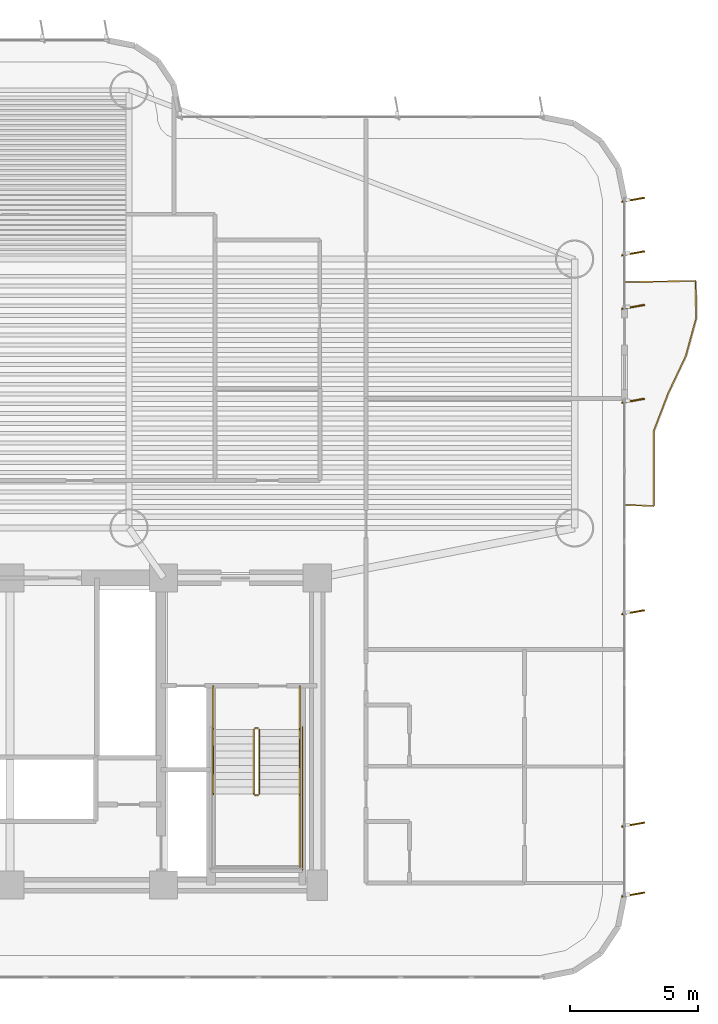
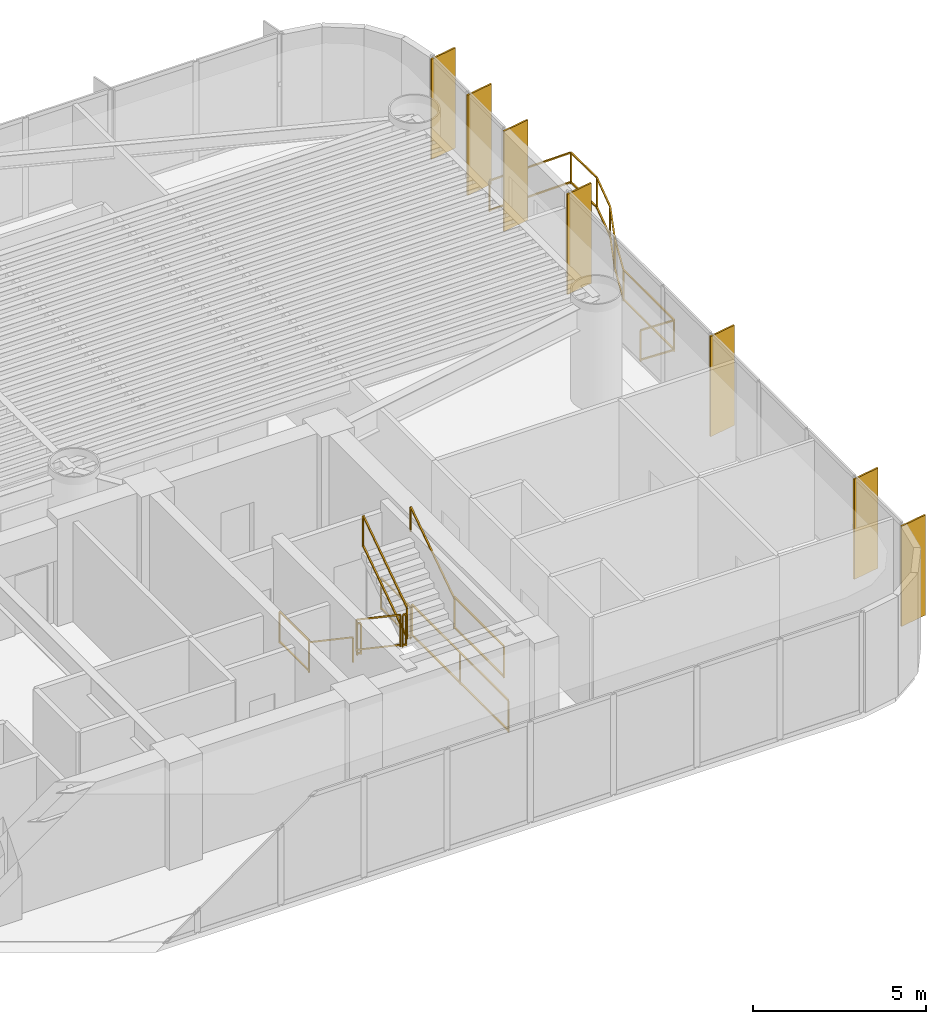
# One storey, part 16 of 17: 11 railings, 7 shading devices.
"""IFC4 building model written with IfcOpenShell, lengths in metres."""

from ifc_helpers import new_model, si_unit, direction, frame, origin, origin_2d, place, context, subcontext, project, spatial, rectangle, extrude, source, transform, mapped, material, layer, layer_set, material_profile, profile_set, type_object, element, save


model = new_model("IFC4")

# Units and contexts
model_context = context("Model", 3, precision=1e-05, world=origin(), true_north=direction((0.0, 1.0)))
body_context = subcontext(model_context, "Body", "Model", "MODEL_VIEW")
ifc_project = project(units=[si_unit("LENGTHUNIT", "METRE"), si_unit("AREAUNIT", "SQUARE_METRE"), si_unit("VOLUMEUNIT", "CUBIC_METRE"), si_unit("PLANEANGLEUNIT", "RADIAN"), si_unit("MASSUNIT", "GRAM", prefix="KILO")], contexts=[model_context])

# Site, building, storey
site_placement = place(None, origin())
site = spatial("IfcSite", under=ifc_project, at=site_placement, CompositionType="ELEMENT")
building_placement = place(site_placement, origin())
building = spatial("IfcBuilding", under=site, at=building_placement, Name="Brelvock Crest Care Tower", CompositionType="ELEMENT")
storey_placement = place(building_placement, frame((0.0, 0.0, 45.89990234375)))
storey = spatial("IfcBuildingStorey", under=building, at=storey_placement, Name="L11", CompositionType="ELEMENT", Elevation=45.89990234375)

# Railings
ifc_material_1 = material(Name="Dark Glass Double Glazed Low-E", Category="glass")
ifc_layer_1 = layer(ifc_material_1, 0.06005859375, Name="RL-BAL1")
ifc_layer_set_1 = layer_set([ifc_layer_1], Name="Dark Glass Double Glazed Low-E")
railing_type_1 = type_object("IfcRailingType", Name="RL-BAL1", PredefinedType="BALUSTRADE", material=ifc_layer_set_1)
railing_1_placement = place(storey_placement, frame((60.0400390625, 20.85009765625, 0.004150390625)))
element("IfcRailing", 1, at=railing_1_placement, inside=storey, type_object=railing_type_1, Name="L11 Safety Balustrade WB-E", PredefinedType="BALUSTRADE", context=body_context, shape_type="SweptSolid", body=[
    extrude(rectangle(XDim=0.048095703125, YDim=0.048095703125, at=origin_2d()), frame((0.001953125, 0.0, 1.09619140625), z_axis=(0.998966252902, -0.045457953795, 0.0), x_axis=(0.045457953795, 0.998966252902, 0.0)), (0.0, 0.0, 1.0), 1.096923828125),
    extrude(rectangle(XDim=0.048095703125, YDim=0.048095703125, at=origin_2d()), frame((0.001953125, 0.0, 0.054931640625), z_axis=(0.998966252902, -0.045457953795, 0.0), x_axis=(0.045457953795, 0.998966252902, 0.0)), (0.0, 0.0, 1.0), 1.096923828125),
    extrude(rectangle(XDim=0.048095703125, YDim=0.048095703125, at=origin_2d()), frame((1.099853515625, -0.048095703125, 1.09619140625), z_axis=(0.0, 1.0, 0.0), x_axis=(-1.0, 0.0, 0.0)), (0.0, 0.0, 1.0), 2.929443359375),
    extrude(rectangle(XDim=0.048095703125, YDim=0.048095703125, at=origin_2d()), frame((1.099853515625, -0.048095703125, 0.054931640625), z_axis=(0.0, 1.0, 0.0), x_axis=(-1.0, 0.0, 0.0)), (0.0, 0.0, 1.0), 2.929443359375),
    extrude(rectangle(XDim=0.048095703125, YDim=0.048095703125, at=origin_2d()), frame((1.1005859375, 2.88525390625, 1.09619140625), z_axis=(0.357436663677, 0.933937380909, 0.0), x_axis=(-0.933937380909, 0.357436663677, 0.0)), (0.0, 0.0, 1.0), 1.56640625),
    extrude(rectangle(XDim=0.048095703125, YDim=0.048095703125, at=origin_2d()), frame((1.1005859375, 2.88525390625, 0.054931640625), z_axis=(0.357436663677, 0.933937380909, 0.0), x_axis=(-0.933937380909, 0.357436663677, 0.0)), (0.0, 0.0, 1.0), 1.56640625),
    extrude(rectangle(XDim=0.048095703125, YDim=0.048095703125, at=origin_2d()), frame((1.661865234375, 4.3515625, 1.09619140625), z_axis=(0.426746449171, 0.904371310978, 0.0), x_axis=(-0.904371310978, 0.426746449171, 0.0)), (0.0, 0.0, 1.0), 1.617919921875),
    extrude(rectangle(XDim=0.048095703125, YDim=0.048095703125, at=origin_2d()), frame((1.661865234375, 4.3515625, 0.054931640625), z_axis=(0.426746449171, 0.904371310978, 0.0), x_axis=(-0.904371310978, 0.426746449171, 0.0)), (0.0, 0.0, 1.0), 1.617919921875),
    extrude(rectangle(XDim=0.048095703125, YDim=0.048095703125, at=origin_2d()), frame((2.353759765625, 5.818603515625, 1.09619140625), z_axis=(0.263525028953, 0.964652558756, 0.0), x_axis=(-0.964652558756, 0.263525028953, 0.0)), (0.0, 0.0, 1.0), 1.516357421875),
    extrude(rectangle(XDim=0.048095703125, YDim=0.048095703125, at=origin_2d()), frame((2.353759765625, 5.818603515625, 0.054931640625), z_axis=(0.263525028953, 0.964652558756, 0.0), x_axis=(-0.964652558756, 0.263525028953, 0.0)), (0.0, 0.0, 1.0), 1.516357421875),
    extrude(rectangle(XDim=0.048095703125, YDim=0.048095703125, at=origin_2d()), frame((2.75390625, 7.28515625, 1.09619140625), z_axis=(-0.013647197663, 0.999906872662, 0.0), x_axis=(-0.999906872662, -0.013647197663, 0.0)), (0.0, 0.0, 1.0), 1.462890625),
    extrude(rectangle(XDim=0.048095703125, YDim=0.048095703125, at=origin_2d()), frame((2.75390625, 7.28515625, 0.054931640625), z_axis=(-0.013647197663, 0.999906872662, 0.0), x_axis=(-0.999906872662, -0.013647197663, 0.0)), (0.0, 0.0, 1.0), 1.462890625),
    extrude(rectangle(XDim=0.048095703125, YDim=0.048095703125, at=origin_2d()), frame((2.73193359375, 8.75, 1.09619140625), z_axis=(-0.999832471903, -0.018303773597, 0.0), x_axis=(0.018303773597, -0.999832471903, 0.0)), (0.0, 0.0, 1.0), 2.730224609375),
    extrude(rectangle(XDim=0.048095703125, YDim=0.048095703125, at=origin_2d()), frame((2.73193359375, 8.75, 0.054931640625), z_axis=(-0.999832471903, -0.018303773597, 0.0), x_axis=(0.018303773597, -0.999832471903, 0.0)), (0.0, 0.0, 1.0), 2.730224609375),
    extrude(rectangle(XDim=0.0419921875, YDim=0.0419921875, at=origin_2d()), origin(), (0.0, 0.0, 1.0), 1.070068359375),
    extrude(rectangle(XDim=0.0419921875, YDim=0.0419921875, at=origin_2d()), frame((1.099853515625, -0.050048828125, 0.0)), (0.0, 0.0, 1.0), 1.070068359375),
    extrude(rectangle(XDim=0.0419921875, YDim=0.0419921875, at=origin_2d()), frame((1.099853515625, 2.88330078125, 0.0)), (0.0, 0.0, 1.0), 1.070068359375),
    extrude(rectangle(XDim=0.0419921875, YDim=0.0419921875, at=origin_2d()), frame((1.6611328125, 4.349853515625, 0.0)), (0.0, 0.0, 1.0), 1.070068359375),
    extrude(rectangle(XDim=0.0419921875, YDim=0.0419921875, at=origin_2d()), frame((2.353271484375, 5.816650390625, 0.0)), (0.0, 0.0, 1.0), 1.070068359375),
    extrude(rectangle(XDim=0.0419921875, YDim=0.0419921875, at=origin_2d()), frame((2.75390625, 7.283203125, 0.0)), (0.0, 0.0, 1.0), 1.070068359375),
    extrude(rectangle(XDim=0.0419921875, YDim=0.0419921875, at=origin_2d()), frame((2.73388671875, 8.75, 0.0)), (0.0, 0.0, 1.0), 1.070068359375),
    extrude(rectangle(XDim=0.0419921875, YDim=0.0419921875, at=origin_2d()), frame((0.0, 8.699951171875, 0.0)), (0.0, 0.0, 1.0), 1.070068359375),
])
ifc_material_2 = material(Name="Steel Grade 350", Category="steel")
ifc_layer_2 = layer(ifc_material_2, 0.050048828125, Name="RL-STG1")
ifc_layer_set_2 = layer_set([ifc_layer_2], Name="Steel Grade 350")
railing_type_2 = type_object("IfcRailingType", Name="RL-STG1", PredefinedType="GUARDRAIL", material=ifc_layer_set_2)
railing_2_placement = place(storey_placement, frame((45.52001953125, 12.080078125, 0.189208984375)))
element("IfcRailing", 2, at=railing_2_placement, inside=storey, type_object=railing_type_2, Name="L11 ST-2 stair guard 1", PredefinedType="GUARDRAIL", context=body_context, shape_type="SweptSolid", body=[
    extrude(rectangle(XDim=0.048095703125, YDim=0.048095703125, at=origin_2d()), frame((0.0, -0.001708984375, 1.116943359375), z_axis=(0.0, -0.828861706735, 0.559453546873), x_axis=(1.0, 0.0, 0.0)), (0.0, 0.0, 1.0), 3.036376953125),
    extrude(rectangle(XDim=0.048095703125, YDim=0.048095703125, at=origin_2d()), frame((0.0, -0.001708984375, 0.05615234375), z_axis=(0.0, -0.828861706735, 0.559453546873), x_axis=(1.0, 0.0, 0.0)), (0.0, 0.0, 1.0), 3.036376953125),
    extrude(rectangle(XDim=0.0419921875, YDim=0.0419921875, at=origin_2d()), origin(), (0.0, 0.0, 1.0), 1.08984375),
    extrude(rectangle(XDim=0.0419921875, YDim=0.0419921875, at=origin_2d()), frame((0.0, -2.52001953125, 1.700927734375)), (0.0, 0.0, 1.0), 1.08984375),
])
railing_3_placement = place(storey_placement, frame((45.570068359375, 9.510009765625, 1.89013671875)))
element("IfcRailing", 3, at=railing_3_placement, inside=storey, type_object=railing_type_2, Name="L11 ST-2 stair guard 2", PredefinedType="GUARDRAIL", context=body_context, shape_type="SweptSolid", body=[
    extrude(rectangle(XDim=0.048095703125, YDim=0.048095703125, at=origin_2d()), frame((0.001953125, 0.0, 1.11572265625), z_axis=(1.0, 0.0, 0.0), x_axis=(0.0, 1.0, 0.0)), (0.0, 0.0, 1.0), 0.115966796875),
    extrude(rectangle(XDim=0.048095703125, YDim=0.048095703125, at=origin_2d()), frame((0.001953125, 0.0, 0.054931640625), z_axis=(1.0, 0.0, 0.0), x_axis=(0.0, 1.0, 0.0)), (0.0, 0.0, 1.0), 0.115966796875),
    extrude(rectangle(XDim=0.0419921875, YDim=0.0419921875, at=origin_2d()), origin(), (0.0, 0.0, 1.0), 1.08984375),
    extrude(rectangle(XDim=0.0419921875, YDim=0.0419921875, at=origin_2d()), frame((0.119873046875, 0.0, 0.0)), (0.0, 0.0, 1.0), 1.08984375),
])
railing_4_placement = place(storey_placement, frame((47.320068359375, 9.56005859375, 1.89013671875)))
element("IfcRailing", 4, at=railing_4_placement, inside=storey, type_object=railing_type_2, Name="L11 ST-2 stair guard 4", PredefinedType="GUARDRAIL", context=body_context, shape_type="SweptSolid", body=[
    extrude(rectangle(XDim=0.048095703125, YDim=0.048095703125, at=origin_2d()), frame((0.0, -0.001953125, 1.11572265625), z_axis=(0.0, -1.0, 0.0), x_axis=(1.0, 0.0, 0.0)), (0.0, 0.0, 1.0), 2.856201171875),
    extrude(rectangle(XDim=0.048095703125, YDim=0.048095703125, at=origin_2d()), frame((0.0, -0.001953125, 0.054931640625), z_axis=(0.0, -1.0, 0.0), x_axis=(1.0, 0.0, 0.0)), (0.0, 0.0, 1.0), 2.856201171875),
    extrude(rectangle(XDim=0.0419921875, YDim=0.0419921875, at=origin_2d()), origin(), (0.0, 0.0, 1.0), 1.08984375),
    extrude(rectangle(XDim=0.0419921875, YDim=0.0419921875, at=origin_2d()), frame((0.0, -2.860107421875, 0.0)), (0.0, 0.0, 1.0), 1.08984375),
])
railing_5_placement = place(storey_placement, frame((45.739990234375, 9.56005859375, 2.0791015625)))
element("IfcRailing", 5, at=railing_5_placement, inside=storey, type_object=railing_type_2, Name="L11 ST-2 stair guard 6", PredefinedType="GUARDRAIL", context=body_context, shape_type="SweptSolid", body=[
    extrude(rectangle(XDim=0.048095703125, YDim=0.048095703125, at=origin_2d()), frame((0.0, 0.001708984375, 1.116943359375), z_axis=(0.0, 0.828861706735, 0.559453546873), x_axis=(-1.0, 0.0, 0.0)), (0.0, 0.0, 1.0), 3.036376953125),
    extrude(rectangle(XDim=0.048095703125, YDim=0.048095703125, at=origin_2d()), frame((0.0, 0.001708984375, 0.05615234375), z_axis=(0.0, 0.828861706735, 0.559453546873), x_axis=(-1.0, 0.0, 0.0)), (0.0, 0.0, 1.0), 3.036376953125),
    extrude(rectangle(XDim=0.0419921875, YDim=0.0419921875, at=origin_2d()), origin(), (0.0, 0.0, 1.0), 1.08984375),
    extrude(rectangle(XDim=0.0419921875, YDim=0.0419921875, at=origin_2d()), frame((0.0, 2.52001953125, 1.700927734375)), (0.0, 0.0, 1.0), 1.08984375),
])
railing_6_placement = place(storey_placement, frame((45.570068359375, 12.1298828125, 0.0)))
element("IfcRailing", 6, at=railing_6_placement, inside=storey, type_object=railing_type_2, Name="L11 ST-2 stair guard 7", PredefinedType="GUARDRAIL", context=body_context, shape_type="SweptSolid", body=[
    extrude(rectangle(XDim=0.048095703125, YDim=0.048095703125, at=origin_2d()), frame((0.001953125, 0.0, 1.11572265625), z_axis=(1.0, 0.0, 0.0), x_axis=(0.0, 1.0, 0.0)), (0.0, 0.0, 1.0), 0.115966796875),
    extrude(rectangle(XDim=0.048095703125, YDim=0.048095703125, at=origin_2d()), frame((0.001953125, 0.0, 0.054931640625), z_axis=(1.0, 0.0, 0.0), x_axis=(0.0, 1.0, 0.0)), (0.0, 0.0, 1.0), 0.115966796875),
    extrude(rectangle(XDim=0.0419921875, YDim=0.0419921875, at=origin_2d()), origin(), (0.0, 0.0, 1.0), 1.08984375),
    extrude(rectangle(XDim=0.0419921875, YDim=0.0419921875, at=origin_2d()), frame((0.119873046875, 0.0, 0.0)), (0.0, 0.0, 1.0), 1.08984375),
])
for number, where, name in (
    (7, (43.93994140625, 13.780029296875, 0.0), "L11 ST-2 stair guard 8"),
    (8, (47.320068359375, 13.780029296875, 0.0), "L11 ST-2 stair guard 9"),
):
    element("IfcRailing", number, at=place(storey_placement, frame(where)), inside=storey, type_object=railing_type_2, Name=name, PredefinedType="GUARDRAIL", context=body_context, shape_type="SweptSolid", body=[
        extrude(rectangle(XDim=0.048095703125, YDim=0.048095703125, at=origin_2d()), frame((0.0, -0.001953125, 1.11572265625), z_axis=(0.0, -1.0, 0.0), x_axis=(1.0, 0.0, 0.0)), (0.0, 0.0, 1.0), 1.696044921875),
        extrude(rectangle(XDim=0.048095703125, YDim=0.048095703125, at=origin_2d()), frame((0.0, -0.001953125, 0.054931640625), z_axis=(0.0, -1.0, 0.0), x_axis=(1.0, 0.0, 0.0)), (0.0, 0.0, 1.0), 1.696044921875),
        extrude(rectangle(XDim=0.0419921875, YDim=0.0419921875, at=origin_2d()), origin(), (0.0, 0.0, 1.0), 1.08984375),
        extrude(rectangle(XDim=0.0419921875, YDim=0.0419921875, at=origin_2d()), frame((0.0, -1.699951171875, 0.0)), (0.0, 0.0, 1.0), 1.08984375),
    ])
railing_7_placement = place(storey_placement, frame((47.419921875, 12.179931640625, 0.0)))
element("IfcRailing", 9, at=railing_7_placement, inside=storey, type_object=railing_type_2, Name="L11 ST-2 stair guard 11", PredefinedType="GUARDRAIL", context=body_context, shape_type="SweptSolid", body=[
    extrude(rectangle(XDim=0.048095703125, YDim=0.048095703125, at=origin_2d()), frame((0.0, -0.001953125, 1.11572265625), z_axis=(0.0, -1.0, 0.0), x_axis=(1.0, 0.0, 0.0)), (0.0, 0.0, 1.0), 5.575927734375),
    extrude(rectangle(XDim=0.048095703125, YDim=0.048095703125, at=origin_2d()), frame((0.0, -0.001953125, 0.054931640625), z_axis=(0.0, -1.0, 0.0), x_axis=(1.0, 0.0, 0.0)), (0.0, 0.0, 1.0), 5.575927734375),
    extrude(rectangle(XDim=0.0419921875, YDim=0.0419921875, at=origin_2d()), origin(), (0.0, 0.0, 1.0), 1.08984375),
    extrude(rectangle(XDim=0.0419921875, YDim=0.0419921875, at=origin_2d()), frame((0.0, -2.7900390625, 0.0)), (0.0, 0.0, 1.0), 1.08984375),
    extrude(rectangle(XDim=0.0419921875, YDim=0.0419921875, at=origin_2d()), frame((0.0, -5.579833984375, 0.0)), (0.0, 0.0, 1.0), 1.08984375),
])
ifc_layer_3 = layer(ifc_material_2, 0.048095703125, Name="RL-STH1")
ifc_layer_set_3 = layer_set([ifc_layer_3], Name="Steel Grade 350")
railing_type_3 = type_object("IfcRailingType", Name="RL-STH1", PredefinedType="HANDRAIL", material=ifc_layer_set_3)
railing_8_placement = place(storey_placement, frame((43.93994140625, 12.080078125, 0.189208984375)))
element("IfcRailing", 10, at=railing_8_placement, inside=storey, type_object=railing_type_3, Name="L11 ST-2 stair handrail 1", PredefinedType="HANDRAIL", context=body_context, shape_type="SweptSolid", body=[
    extrude(rectangle(XDim=0.048095703125, YDim=0.048095703125, at=origin_2d()), frame((0.0, -0.001708984375, 0.876953125), z_axis=(0.0, -0.828861706735, 0.559453546873), x_axis=(1.0, 0.0, 0.0)), (0.0, 0.0, 1.0), 3.036376953125),
    extrude(rectangle(XDim=0.0419921875, YDim=0.0419921875, at=origin_2d()), origin(), (0.0, 0.0, 1.0), 0.849853515625),
    extrude(rectangle(XDim=0.0419921875, YDim=0.0419921875, at=origin_2d()), frame((0.0, -2.52001953125, 1.700927734375)), (0.0, 0.0, 1.0), 0.849853515625),
])
railing_9_placement = place(storey_placement, frame((47.320068359375, 9.56005859375, 2.0791015625)))
element("IfcRailing", 11, at=railing_9_placement, inside=storey, type_object=railing_type_3, Name="L11 ST-2 stair handrail 2", PredefinedType="HANDRAIL", context=body_context, shape_type="SweptSolid", body=[
    extrude(rectangle(XDim=0.048095703125, YDim=0.048095703125, at=origin_2d()), frame((0.0, 0.001708984375, 0.876953125), z_axis=(0.0, 0.828861706735, 0.559453546873), x_axis=(-1.0, 0.0, 0.0)), (0.0, 0.0, 1.0), 3.036376953125),
    extrude(rectangle(XDim=0.0419921875, YDim=0.0419921875, at=origin_2d()), origin(), (0.0, 0.0, 1.0), 0.849853515625),
    extrude(rectangle(XDim=0.0419921875, YDim=0.0419921875, at=origin_2d()), frame((0.0, 2.52001953125, 1.700927734375)), (0.0, 0.0, 1.0), 0.849853515625),
])

# Shading devices
ifc_material_3 = material(Name="Aluminium 6063-T6", Category="aluminium")
ifc_material_profile = material_profile(ifc_material_3, rectangle(XDim=0.054931640625, YDim=0.89990234375, at=origin_2d()), Name="FIN55x900")
ifc_profile_set = profile_set([ifc_material_profile], Name="Aluminium 6063-T6")
shading_device_type = type_object("IfcShadingDeviceType", Name="SHD-FIN1", PredefinedType="USERDEFINED", material=ifc_profile_set)
shared_shape = source(origin(), body_context, "Body", "SweptSolid", [
    extrude(rectangle(XDim=0.054931640625, YDim=0.89990234375, at=origin_2d()), origin(), (0.0, 0.0, 1.0), 3.530029296875),
])
for number, where, z_axis, x_axis, name in (
    (12, (60.340087890625, 32.767578125, 0.0), (0.0, 0.0, 1.0), (0.173648177667, -0.984807753012, 0.0), "L11 Vertical Sunshade Fin E03A-01"),
    (13, (60.340087890625, 30.675048828125, 0.0), (0.0, 0.0, 1.0), (0.173648177667, -0.984807753012, 0.0), "L11 Vertical Sunshade Fin E03A-02"),
    (14, (60.340087890625, 28.58251953125, 0.0), (0.0, 0.0, 1.0), (0.173648177667, -0.984807753012, 0.0), "L11 Vertical Sunshade Fin E03A-03"),
    (15, (60.340087890625, 24.91748046875, 0.0), (0.0, 0.0, 1.0), (0.173648177667, -0.984807753012, 0.0), "L11 Vertical Sunshade Fin E03B-01"),
    (16, (60.340087890625, 16.656982421875, 0.0), (0.0, 0.0, 1.0), (0.173648177667, -0.984807753012, 0.0), "L11 Vertical Sunshade Fin E03B-04"),
    (17, (60.340087890625, 8.3642578125, 0.0), (0.0, 0.0, 1.0), (0.173648177667, -0.984807753012, 0.0), "L11 Vertical Sunshade Fin E03B-07"),
    (18, (60.340087890625, 5.632568359375, 0.0), (0.0, 0.0, 1.0), (0.173648177667, -0.984807753012, 0.0), "L11 Vertical Sunshade Fin E03B-08"),
):
    element("IfcShadingDevice", number, at=place(storey_placement, frame(where, z_axis=z_axis, x_axis=x_axis)), inside=storey, type_object=shading_device_type, Name=name, ObjectType="FIN", PredefinedType="USERDEFINED", context=body_context, shape_type="MappedRepresentation", body=[
        mapped(shared_shape, transform((0.0, 0.0, 0.0), x_axis=(1.0, 0.0, 0.0), y_axis=(0.0, 1.0, 0.0), z_axis=(0.0, 0.0, 1.0), scale=1.0)),
    ])

save(model, "model.ifc")
